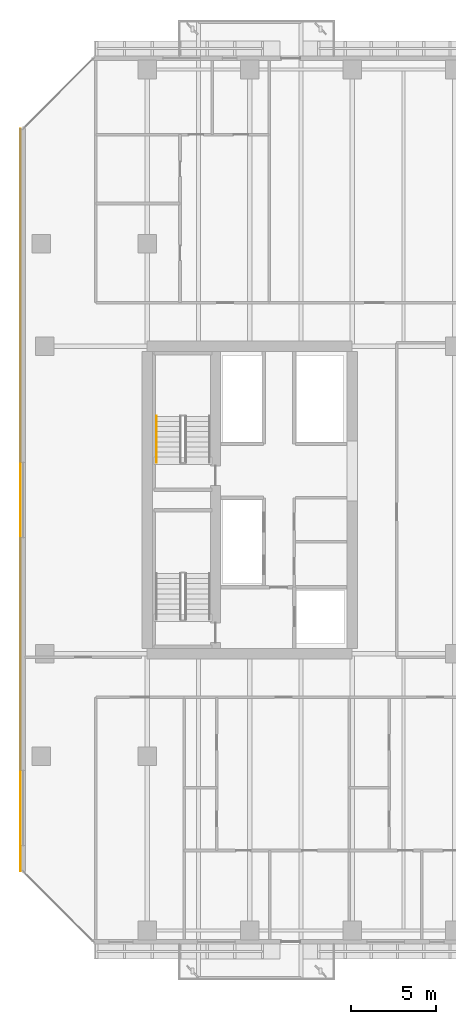
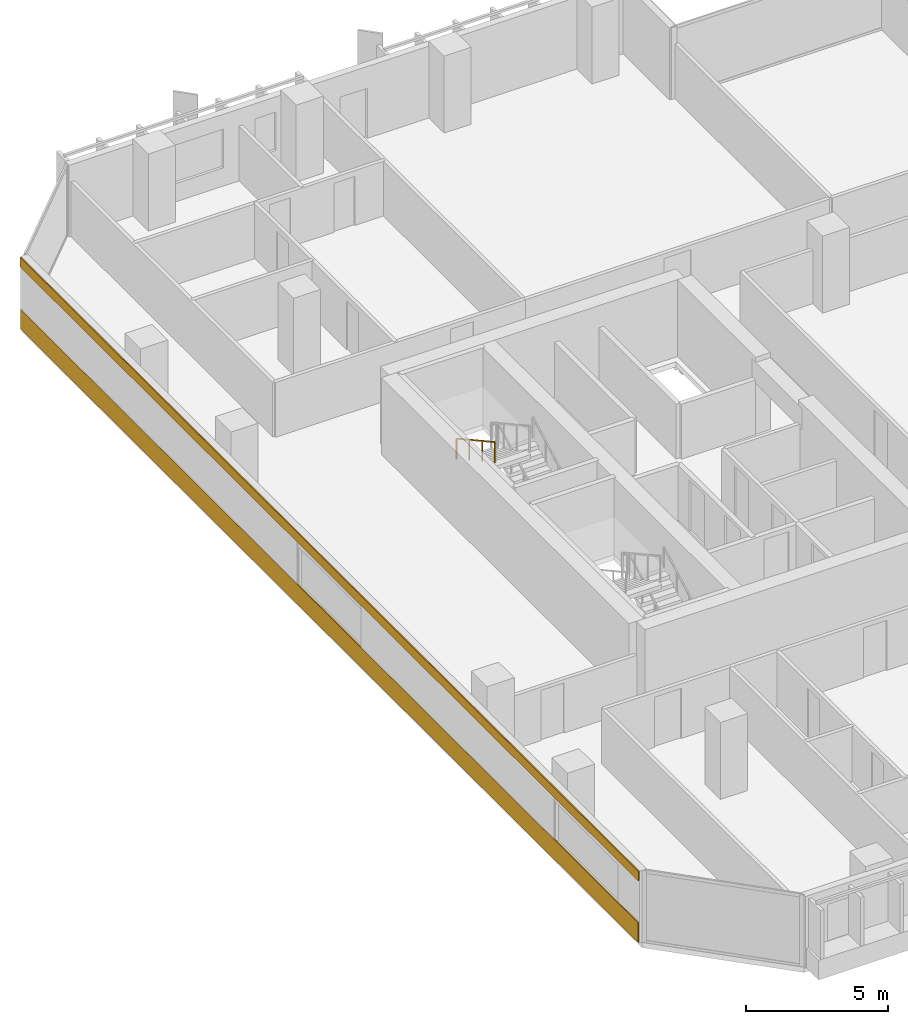
# One storey, part 27 of 34: 2 coverings, 1 railing.
"""IFC4 building model written with IfcOpenShell, lengths in metres."""

from ifc_helpers import new_model, si_unit, direction, frame, origin, origin_2d, place, context, subcontext, project, spatial, rectangle, extrude, material, layer, layer_set, type_object, element, save


model = new_model("IFC4")

# Units and contexts
model_context = context("Model", 3, precision=1e-05, world=origin(), true_north=direction((0.0, 1.0)))
body_context = subcontext(model_context, "Body", "Model", "MODEL_VIEW")
ifc_project = project(units=[si_unit("LENGTHUNIT", "METRE"), si_unit("AREAUNIT", "SQUARE_METRE"), si_unit("VOLUMEUNIT", "CUBIC_METRE"), si_unit("PLANEANGLEUNIT", "RADIAN"), si_unit("MASSUNIT", "GRAM", prefix="KILO")], contexts=[model_context])

# Site, building, storey
site_placement = place(None, origin())
site = spatial("IfcSite", under=ifc_project, at=site_placement, CompositionType="ELEMENT")
building_placement = place(site_placement, origin())
building = spatial("IfcBuilding", under=site, at=building_placement, Name="Tanjung Sevakor Pilgrim Tower", CompositionType="ELEMENT")
storey_placement = place(building_placement, frame((0.0, 0.0, 55.43994140625)))
storey = spatial("IfcBuildingStorey", under=building, at=storey_placement, Name="L15", CompositionType="ELEMENT", Elevation=55.43994140625)

# Coverings
ifc_material_1 = material(Name="Reconstructed Limestone Cladding", Category="masonry")
ifc_layer = layer(ifc_material_1, 0.044921875)
ifc_layer_set = layer_set([ifc_layer], Name="COV-CLAD-LIMESTONE")
covering_type = type_object("IfcCoveringType", Name="COV-CLAD-LIMESTONE", PredefinedType="CLADDING", material=ifc_layer_set)
covering_1_placement = place(storey_placement, frame((16.577392578125, 33.60009765625, 0.01025390625), z_axis=(0.0, 0.0, 1.0), x_axis=(0.0, -1.0, 0.0)))
element("IfcCovering", 1, at=covering_1_placement, inside=storey, type_object=covering_type, Name="L15 Warm Limestone Sill Spandrel EW-L15-MAIN-15-1", PredefinedType="CLADDING", context=body_context, shape_type="SweptSolid", body=[
    extrude(rectangle(XDim=43.404052734375, YDim=0.044921875, at=origin_2d()), origin(), (0.0, 0.0, 1.0), 0.840087890625),
])
covering_2_placement = place(storey_placement, frame((16.577392578125, 33.60009765625, 2.66015625), z_axis=(0.0, 0.0, 1.0), x_axis=(0.0, -1.0, 0.0)))
element("IfcCovering", 2, at=covering_2_placement, inside=storey, type_object=covering_type, Name="L15 Warm Limestone Cornice Spandrel EW-L15-MAIN-15", PredefinedType="CLADDING", context=body_context, shape_type="SweptSolid", body=[
    extrude(rectangle(XDim=43.444091796875, YDim=0.044921875, at=origin_2d()), origin(), (0.0, 0.0, 1.0), 0.409912109375),
])

# Railing
ifc_material_2 = material(Name="Steel S355J2", Category="steel")
railing_type = type_object("IfcRailingType", Name="RL-STAIR-HAND", PredefinedType="HANDRAIL", material=ifc_material_2)
railing_placement = place(storey_placement, frame((24.550048828125, 38.5, 1.81494140625)))
element("IfcRailing", 3, at=railing_placement, inside=storey, type_object=railing_type, Name="L15 TS-W2 stair handrail 2", PredefinedType="HANDRAIL", context=body_context, shape_type="SweptSolid", body=[
    extrude(rectangle(XDim=0.0479, YDim=0.0479), frame((0.0, 0.0, 0.8759765625), z_axis=(0.0, -0.876197507361, 0.481952205197), x_axis=(1.0, 0.0, 0.0)), (0.0, 0.0, 1.0), 3.08154296875),
    extrude(rectangle(XDim=0.042, YDim=0.042), origin(), (0.0, 0.0, 1.0), 0.851806640625),
    extrude(rectangle(XDim=0.042, YDim=0.042), frame((0.0, -0.89990234375, 0.4951171875)), (0.0, 0.0, 1.0), 0.851806640625),
    extrude(rectangle(XDim=0.042, YDim=0.042), frame((0.0, -1.800048828125, 0.989990234375)), (0.0, 0.0, 1.0), 0.851806640625),
    extrude(rectangle(XDim=0.042, YDim=0.042), frame((0.0, -2.699951171875, 1.485107421875)), (0.0, 0.0, 1.0), 0.851806640625),
])

save(model, "model.ifc")
